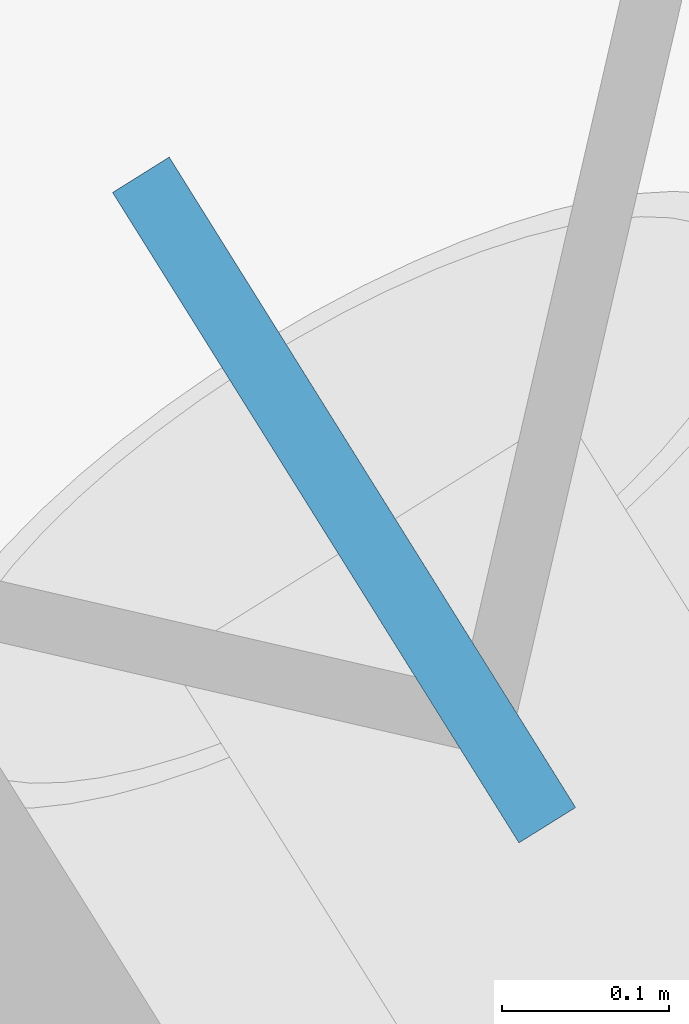
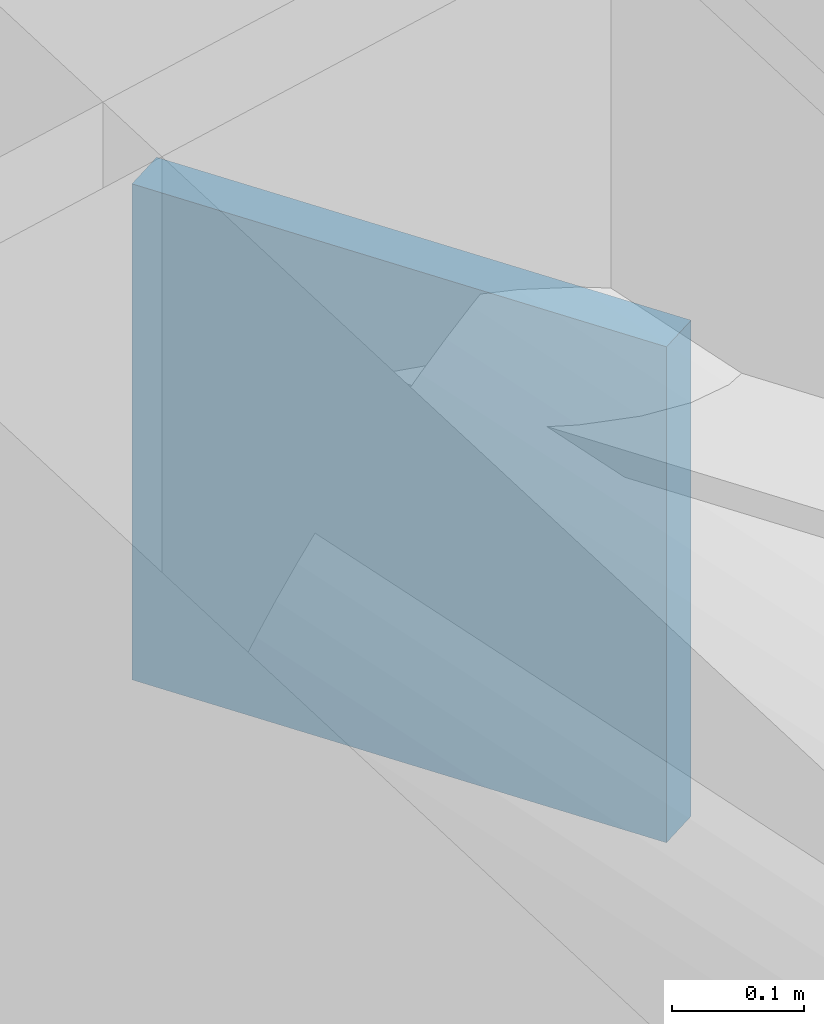
# One storey, part 21 of 22: 1 discrete accessory.
"""IFC4 building model written with IfcOpenShell, lengths in metres."""

from ifc_helpers import new_model, si_unit, direction, frame, origin, origin_2d, place, context, subcontext, project, spatial, rectangle, extrude, material, type_object, element, save


model = new_model("IFC4")

# Units and contexts
model_context = context("Model", 3, precision=1e-05, world=origin(), true_north=direction((0.0, 1.0)))
body_context = subcontext(model_context, "Body", "Model", "MODEL_VIEW")
ifc_project = project(units=[si_unit("LENGTHUNIT", "METRE"), si_unit("AREAUNIT", "SQUARE_METRE"), si_unit("VOLUMEUNIT", "CUBIC_METRE"), si_unit("PLANEANGLEUNIT", "RADIAN"), si_unit("MASSUNIT", "GRAM", prefix="KILO")], contexts=[model_context])

# Site, building, storey
site_placement = place(None, origin())
site = spatial("IfcSite", under=ifc_project, at=site_placement, CompositionType="ELEMENT")
building_placement = place(site_placement, origin())
building = spatial("IfcBuilding", under=site, at=building_placement, Name="Tavrogorsk Clinical Tower", CompositionType="ELEMENT")
storey_placement = place(building_placement, frame((0.0, 0.0, 55.39990234375)))
storey = spatial("IfcBuildingStorey", under=building, at=storey_placement, Name="L11", CompositionType="ELEMENT", Elevation=55.39990234375)

# Discrete accessory
ifc_material = material(Name="Structural steel S440", Category="steel")
discrete_accessory_type = type_object("IfcDiscreteAccessoryType", Name="GussetPlateBracket_25", PredefinedType="BRACKET", material=ifc_material)
discrete_accessory_placement = place(storey_placement, frame((36.65380859375, 14.481689453125, 2.667724609375), z_axis=(0.0, 0.0, 1.0), x_axis=(-0.529919264233, 0.848048096156, 0.0)))
element("IfcDiscreteAccessory", 1, at=discrete_accessory_placement, inside=storey, type_object=discrete_accessory_type, Name="L11 Brace Gusset Plate EXOCRN-L11-2-B", PredefinedType="BRACKET", context=body_context, shape_type="SweptSolid", body=[
    extrude(rectangle(XDim=0.4599609375, YDim=0.0400390625, at=origin_2d()), origin(), (0.0, 0.0, 1.0), 0.4599609375),
])

save(model, "model.ifc")
